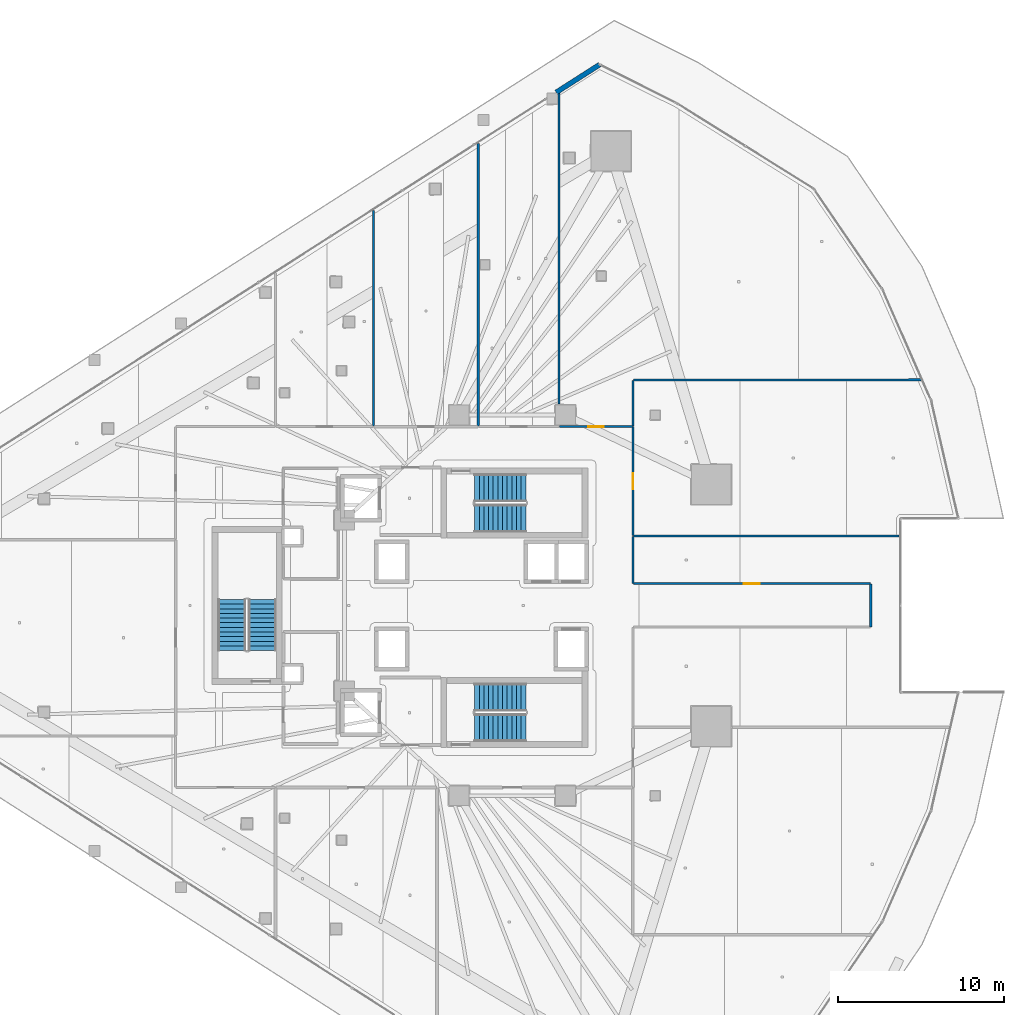
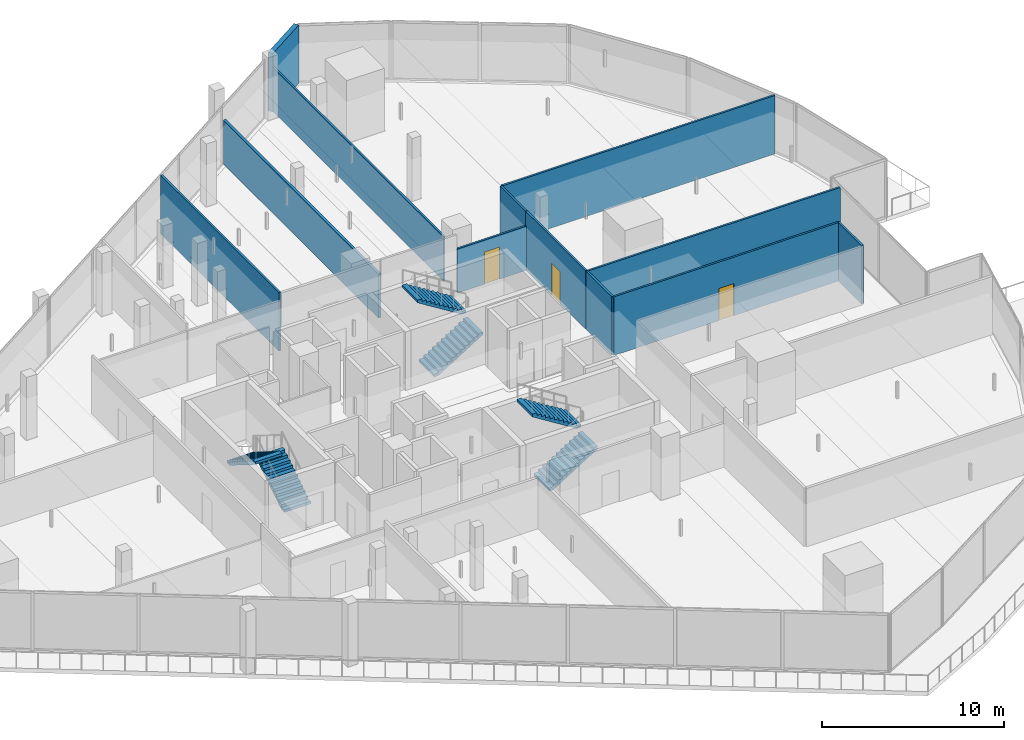
# One storey, part 30 of 44: 12 walls, 6 stair flights, 3 doors, 3 openings, 3 elements without a shape of their own.
"""IFC4 building model written with IfcOpenShell, lengths in metres."""

from ifc_helpers import new_model, si_unit, direction, frame, frame_2d, origin, place, context, subcontext, project, spatial, polyline, rectangle, outline, extrude, material, layer, layer_set, type_object, element, fill, aggregate, save


model = new_model("IFC4")

# Units and contexts
model_context = context("Model", 3, precision=1e-05, world=origin(), true_north=direction((0.0, 1.0)))
body_context = subcontext(model_context, "Body", "Model", "MODEL_VIEW")
ifc_project = project(units=[si_unit("LENGTHUNIT", "METRE"), si_unit("AREAUNIT", "SQUARE_METRE"), si_unit("VOLUMEUNIT", "CUBIC_METRE"), si_unit("PLANEANGLEUNIT", "RADIAN"), si_unit("MASSUNIT", "GRAM", prefix="KILO")], contexts=[model_context])

# Site, building, storey
site_placement = place(None, origin())
site = spatial("IfcSite", under=ifc_project, at=site_placement, CompositionType="ELEMENT")
building_placement = place(site_placement, origin())
building = spatial("IfcBuilding", under=site, at=building_placement, Name="Qorvath Tower", CompositionType="ELEMENT")
storey_placement = place(building_placement, frame((0.0, 0.0, 70.199951171875)))
storey = spatial("IfcBuildingStorey", under=building, at=storey_placement, Name="L15", CompositionType="ELEMENT", Elevation=70.199951171875)

# Walls
ifc_material_1 = material(Name="Double acoustic gypsum board on steel studs", Category="steel")
ifc_layer_1 = layer(ifc_material_1, 0.159912109375)
ifc_layer_set_1 = layer_set([ifc_layer_1], Name="IW-ACOUSTIC-160")
wall_type_1 = type_object("IfcWallType", Name="IW-ACOUSTIC-160", PredefinedType="PARTITIONING", material=ifc_layer_set_1)
wall_1_placement = place(storey_placement, frame((-22.441162109375, 10.783203125, 0.0), z_axis=(0.0, 0.0, 1.0), x_axis=(0.0, 1.0, 0.0)))
element("IfcWall", 1, at=wall_1_placement, inside=storey, type_object=wall_type_1, Name="Interior Partition IW-T1-L15-021", PredefinedType="PARTITIONING", context=body_context, shape_type="SweptSolid", body=[
    extrude(rectangle(XDim=17.01513671875, YDim=0.159912109375, at=frame_2d((8.507568359375, 0.0))), origin(), (0.0, 0.0, 1.0), 2.95703125),
])
ifc_material_2 = material(Name="Gypsum board on metal studs with mineral wool", Category="gypsum")
ifc_layer_2 = layer(ifc_material_2, 0.125)
ifc_layer_set_2 = layer_set([ifc_layer_2], Name="IW-PART-125")
wall_type_2 = type_object("IfcWallType", Name="IW-PART-125", PredefinedType="PARTITIONING", material=ifc_layer_set_2)
wall_2_placement = place(storey_placement, frame((-28.759521484375, 10.783203125, 0.0), z_axis=(0.0, 0.0, 1.0), x_axis=(0.0, 1.0, 0.0)))
element("IfcWall", 2, at=wall_2_placement, inside=storey, type_object=wall_type_2, Name="Interior Partition IW-T1-L15-018", PredefinedType="PARTITIONING", context=body_context, shape_type="SweptSolid", body=[
    extrude(rectangle(XDim=12.976806640625, YDim=0.125, at=frame_2d((6.48828125, 0.0))), origin(), (0.0, 0.0, 1.0), 3.920166015625),
])
wall_3_placement = place(storey_placement, frame((-17.58154296875, 12.114990234375, 0.0), z_axis=(0.0, 0.0, 1.0), x_axis=(0.0, 1.0, 0.0)))
element("IfcWall", 3, at=wall_3_placement, inside=storey, type_object=wall_type_2, Name="Interior Partition IW-T1-L15-023", PredefinedType="PARTITIONING", context=body_context, shape_type="SweptSolid", body=[
    extrude(rectangle(XDim=18.789306640625, YDim=0.125, at=frame_2d((9.39453125, 0.0))), origin(), (0.0, 0.0, 1.0), 2.95703125),
])

# Wall, opening, door
wall_4_placement = place(storey_placement, frame((-17.548583984375, 10.758056640625, 0.0), z_axis=(0.0, 0.0, 1.0), x_axis=(1.0, 0.0, 0.0)))
wall_4 = element("IfcWall", 4, at=wall_4_placement, inside=storey, type_object=wall_type_2, Name="Interior Partition IW-T1-L15-024", PredefinedType="PARTITIONING", context=body_context, shape_type="SweptSolid", body=[
    extrude(rectangle(XDim=4.373779296875, YDim=0.125, at=frame_2d((2.18701171875, 0.0))), origin(), (0.0, 0.0, 1.0), 2.95703125),
])
opening_1_placement = place(wall_4_placement, frame((1.7119140625, 0.0, 0.0)))
opening_1 = element("IfcOpeningElement", 5, at=opening_1_placement, cuts=wall_4, Name="Opening D-T1-L15-06", PredefinedType="OPENING", context=body_context, shape_type="SweptSolid", body=[
    extrude(rectangle(XDim=0.949951171875, YDim=2.14990234375, at=frame_2d((0.47509765625, 1.074951171875))), frame((0.0, 0.072509765625, 0.0), z_axis=(0.0, -1.0, 0.0), x_axis=(1.0, 0.0, 0.0)), (0.0, 0.0, 1.0), 0.14501953125),
])
ifc_material_3 = material(Name="Solid-core American white oak veneer", Category="wood")
door_type = type_object("IfcDoorType", Name="D-01", OperationType="NOTDEFINED", PredefinedType="DOOR", material=ifc_material_3)
door_1_placement = place(opening_1_placement, origin())
door_1 = element("IfcDoor", 6, at=door_1_placement, inside=storey, type_object=door_type, Name="L15-04 Executive Partner Office Door D-T1-L15-06", OperationType="SINGLE_SWING_LEFT", OverallHeight=2.14990234375, OverallWidth=0.949951171875, PredefinedType="DOOR", context=body_context, shape_type="SweptSolid", body=[
    extrude(rectangle(XDim=0.949951171875, YDim=2.14990234375, at=frame_2d((0.47509765625, 1.074951171875))), frame((0.0, 0.02490234375, 0.0), z_axis=(0.0, -1.0, 0.0), x_axis=(1.0, 0.0, 0.0)), (0.0, 0.0, 1.0), 0.050048828125),
])
fill(opening_1, door_1)

# Walls
wall_5_placement = place(storey_placement, frame((-13.14990234375, 13.539794921875, 0.0), z_axis=(0.0, 0.0, 1.0), x_axis=(0.0, -1.0, 0.0)))
element("IfcWall", 7, at=wall_5_placement, inside=storey, type_object=wall_type_2, Name="Interior Partition IW-T1-L15-025", PredefinedType="PARTITIONING", context=body_context, shape_type="SweptSolid", body=[
    extrude(rectangle(XDim=2.756591796875, YDim=0.125, at=frame_2d((1.37841796875, 0.0))), origin(), (0.0, 0.0, 1.0), 3.920166015625),
])
wall_6_placement = place(storey_placement, frame((-13.125, 13.564697265625, 0.0), z_axis=(0.0, 0.0, 1.0), x_axis=(0.999999720425, 0.000747763554, 0.0)))
element("IfcWall", 8, at=wall_6_placement, inside=storey, type_object=wall_type_2, Name="Interior Partition IW-T1-L15-026", PredefinedType="PARTITIONING", context=body_context, shape_type="SweptSolid", body=[
    extrude(rectangle(XDim=17.30419921875, YDim=0.125, at=frame_2d((8.652099609375, 0.0))), origin(), (0.0, 0.0, 1.0), 3.920166015625),
])
wall_7_placement = place(storey_placement, frame((2.877685546875, 4.166015625, 0.0), z_axis=(0.0, 0.0, 1.0), x_axis=(-1.0, 0.0, 0.0)))
element("IfcWall", 9, at=wall_7_placement, inside=storey, type_object=wall_type_2, Name="Interior Partition IW-T1-L15-037", PredefinedType="PARTITIONING", context=body_context, shape_type="SweptSolid", body=[
    extrude(rectangle(XDim=15.994873046875, YDim=0.125, at=frame_2d((7.99755859375, 0.0))), origin(), (0.0, 0.0, 1.0), 3.920166015625),
])
wall_8_placement = place(storey_placement, frame((-13.14208984375, 4.14111328125, 0.0), z_axis=(0.0, 0.0, 1.0), x_axis=(0.0, -1.0, 0.0)))
element("IfcWall", 10, at=wall_8_placement, inside=storey, type_object=wall_type_2, Name="Interior Partition IW-T1-L15-038", PredefinedType="PARTITIONING", context=body_context, shape_type="SweptSolid", body=[
    extrude(rectangle(XDim=2.80810546875, YDim=0.125, at=frame_2d((1.404052734375, 0.0))), origin(), (0.0, 0.0, 1.0), 3.920166015625),
])

# Wall, opening, door
wall_9_placement = place(storey_placement, frame((1.140380859375, 1.30810546875, 0.0), z_axis=(0.0, 0.0, 1.0), x_axis=(-1.0, 0.0, 0.0)))
wall_9 = element("IfcWall", 11, at=wall_9_placement, inside=storey, type_object=wall_type_2, Name="Interior Partition IW-T1-L15-039", PredefinedType="PARTITIONING", context=body_context, shape_type="SweptSolid", body=[
    extrude(rectangle(XDim=14.257568359375, YDim=0.125, at=frame_2d((7.12890625, 0.0))), origin(), (0.0, 0.0, 1.0), 3.920166015625),
])
opening_2_placement = place(wall_9_placement, frame((6.65380859375, 0.0, 0.0)))
opening_2 = element("IfcOpeningElement", 12, at=opening_2_placement, cuts=wall_9, Name="Opening D-T1-L15-10", PredefinedType="OPENING", context=body_context, shape_type="SweptSolid", body=[
    extrude(rectangle(XDim=0.949951171875, YDim=2.14990234375, at=frame_2d((0.47509765625, 1.074951171875))), frame((0.0, 0.072509765625, 0.0), z_axis=(0.0, -1.0, 0.0), x_axis=(1.0, 0.0, 0.0)), (0.0, 0.0, 1.0), 0.14501953125),
])
door_2_placement = place(opening_2_placement, origin())
door_2 = element("IfcDoor", 13, at=door_2_placement, inside=storey, type_object=door_type, Name="L15-08 Engineering Documentation Suite Door D-T1-L15-10", OperationType="SINGLE_SWING_LEFT", OverallHeight=2.14990234375, OverallWidth=0.949951171875, PredefinedType="DOOR", context=body_context, shape_type="SweptSolid", body=[
    extrude(rectangle(XDim=0.949951171875, YDim=2.14990234375, at=frame_2d((0.47509765625, 1.074951171875))), frame((0.0, 0.02490234375, 0.0), z_axis=(0.0, -1.0, 0.0), x_axis=(1.0, 0.0, 0.0)), (0.0, 0.0, 1.0), 0.050048828125),
])
fill(opening_2, door_2)

# Wall
wall_10_placement = place(storey_placement, frame((1.16552734375, -1.283203125, 0.0), z_axis=(0.0, 0.0, 1.0), x_axis=(0.0, 1.0, 0.0)))
element("IfcWall", 14, at=wall_10_placement, inside=storey, type_object=wall_type_2, Name="Interior Partition IW-T1-L15-040", PredefinedType="PARTITIONING", context=body_context, shape_type="SweptSolid", body=[
    extrude(rectangle(XDim=2.56640625, YDim=0.125, at=frame_2d((1.283203125, 0.0))), origin(), (0.0, 0.0, 1.0), 3.920166015625),
])

# Wall, opening, door
wall_11_placement = place(storey_placement, frame((-13.14208984375, 10.75830078125, 0.0), z_axis=(0.0, 0.0, 1.0), x_axis=(0.0, -1.0, 0.0)))
wall_11 = element("IfcWall", 15, at=wall_11_placement, inside=storey, type_object=wall_type_2, Name="Interior Partition IW-T1-L15-043", PredefinedType="PARTITIONING", context=body_context, shape_type="SweptSolid", body=[
    extrude(rectangle(XDim=6.5595703125, YDim=0.125, at=frame_2d((3.27978515625, 0.0))), origin(), (0.0, 0.0, 1.0), 3.920166015625),
])
opening_3_placement = place(wall_11_placement, frame((2.8046875, 0.0, 0.0)))
opening_3 = element("IfcOpeningElement", 16, at=opening_3_placement, cuts=wall_11, Name="Opening D-T1-L15-11", PredefinedType="OPENING", context=body_context, shape_type="SweptSolid", body=[
    extrude(rectangle(XDim=0.949951171875, YDim=2.14990234375, at=frame_2d((0.47509765625, 1.074951171875))), frame((0.0, 0.072509765625, 0.0), z_axis=(0.0, -1.0, 0.0), x_axis=(1.0, 0.0, 0.0)), (0.0, 0.0, 1.0), 0.14501953125),
])
door_3_placement = place(opening_3_placement, origin())
door_3 = element("IfcDoor", 17, at=door_3_placement, inside=storey, type_object=door_type, Name="L15-09 Open Workplace Studio Door D-T1-L15-11", OperationType="SINGLE_SWING_RIGHT", OverallHeight=2.14990234375, OverallWidth=0.949951171875, PredefinedType="DOOR", context=body_context, shape_type="SweptSolid", body=[
    extrude(rectangle(XDim=0.949951171875, YDim=2.14990234375, at=frame_2d((0.47509765625, 1.074951171875))), frame((0.0, 0.02490234375, 0.0), z_axis=(0.0, -1.0, 0.0), x_axis=(1.0, 0.0, 0.0)), (0.0, 0.0, 1.0), 0.050048828125),
])
fill(opening_3, door_3)

# Wall
ifc_material_4 = material(Name="Precast concrete C45/55", Category="concrete")
ifc_layer_3 = layer(ifc_material_4, 0.300048828125)
ifc_layer_set_3 = layer_set([ifc_layer_3], Name="WL-EW-LOG-300")
wall_type_3 = type_object("IfcWallType", Name="WL-EW-LOG-300", PredefinedType="SOLIDWALL", material=ifc_layer_set_3)
wall_12_placement = place(storey_placement, frame((-17.760498046875, 30.8701171875, 0.0), z_axis=(0.0, 0.0, 1.0), x_axis=(0.842632568885, 0.538488954254, 0.0)))
element("IfcWall", 18, at=wall_12_placement, inside=storey, type_object=wall_type_3, Name="Tower Precast Loggia Wall L15-16.1", PredefinedType="SOLIDWALL", context=body_context, shape_type="SweptSolid", body=[
    extrude(rectangle(XDim=3.092041015625, YDim=0.300048828125, at=frame_2d((1.5458984375, 0.0))), origin(), (0.0, 0.0, 1.0), 3.920166015625),
])

# Stair, stair flights
ifc_material_5 = material(Name="Concrete C50/60", Category="concrete")
stair_type = type_object("IfcStairType", Name="ST-H420", PredefinedType="HALF_TURN_STAIR", material=ifc_material_5)
stair_1_placement = place(storey_placement, origin())
stair_1 = element("IfcStair", 19, at=stair_1_placement, inside=storey, type_object=stair_type, Name="L15 Tower Exit Stair 1", PredefinedType="HALF_TURN_STAIR")
ifc_material_6 = material(Name="Concrete C50/60", Category="concrete")
ifc_layer_4 = layer(ifc_material_6, 0.14990234375)
ifc_layer_set_4 = layer_set([ifc_layer_4], Name="SF-H420")
stair_flight_type = type_object("IfcStairFlightType", Name="SF-H420", PredefinedType="STRAIGHT", material=ifc_layer_set_4)
stair_flight_1_placement = place(storey_placement, frame((-22.669921875, 5.239990234375, 0.0), z_axis=(0.0, 0.0, 1.0), x_axis=(1.0, 0.0, 0.0)))
stair_flight_1 = element("IfcStairFlight", 20, at=stair_flight_1_placement, type_object=stair_flight_type, Name="TS1 flight 1", NumberOfRisers=12, NumberOfTreads=11, PredefinedType="STRAIGHT", RiserHeight=0.175, TreadLength=0.28, context=body_context, shape_type="SweptSolid", body=[
    extrude(outline(polyline([(0.0, 0.0), (0.0, 0.175048828125), (0.280029296875, 0.175048828125), (0.280029296875, 0.35009765625), (0.56005859375, 0.35009765625), (0.56005859375, 0.52490234375), (0.840087890625, 0.52490234375), (0.840087890625, 0.699951171875), (1.1201171875, 0.699951171875), (1.1201171875, 0.875), (1.39990234375, 0.875), (1.39990234375, 1.050048828125), (1.679931640625, 1.050048828125), (1.679931640625, 1.22509765625), (1.9599609375, 1.22509765625), (1.9599609375, 1.39990234375), (2.239990234375, 1.39990234375), (2.239990234375, 1.574951171875), (2.52001953125, 1.574951171875), (2.52001953125, 1.75), (2.800048828125, 1.75), (2.800048828125, 1.925048828125), (3.080078125, 1.925048828125), (3.080078125, 2.10009765625), (3.080078125, 1.748291015625), (0.28271484375, 0.0), (0.0, 0.0)])), frame((0.0, 0.83984375, 0.0), z_axis=(0.0, -1.0, 0.0), x_axis=(1.0, 0.0, 0.0)), (0.0, 0.0, 1.0), 1.679931640625),
])
stair_flight_2_placement = place(storey_placement, frame((-19.590087890625, 7.070068359375, 2.10009765625), z_axis=(0.0, 0.0, 1.0), x_axis=(-1.0, 0.0, 0.0)))
stair_flight_2 = element("IfcStairFlight", 21, at=stair_flight_2_placement, type_object=stair_flight_type, Name="TS1 flight 2", NumberOfRisers=12, NumberOfTreads=11, PredefinedType="STRAIGHT", RiserHeight=0.175, TreadLength=0.28, context=body_context, shape_type="SweptSolid", body=[
    extrude(outline(polyline([(0.0, 0.0), (0.0, 0.175048828125), (0.280029296875, 0.175048828125), (0.280029296875, 0.35009765625), (0.56005859375, 0.35009765625), (0.56005859375, 0.52490234375), (0.840087890625, 0.52490234375), (0.840087890625, 0.699951171875), (1.1201171875, 0.699951171875), (1.1201171875, 0.875), (1.39990234375, 0.875), (1.39990234375, 1.050048828125), (1.679931640625, 1.050048828125), (1.679931640625, 1.22509765625), (1.9599609375, 1.22509765625), (1.9599609375, 1.39990234375), (2.239990234375, 1.39990234375), (2.239990234375, 1.574951171875), (2.52001953125, 1.574951171875), (2.52001953125, 1.75), (2.800048828125, 1.75), (2.800048828125, 1.925048828125), (3.080078125, 1.925048828125), (3.080078125, 2.10009765625), (3.080078125, 1.748291015625), (0.28271484375, 0.0), (0.0, 0.0)])), frame((0.0, 0.83984375, 0.0), z_axis=(0.0, -1.0, 0.0), x_axis=(1.0, 0.0, 0.0)), (0.0, 0.0, 1.0), 1.679931640625),
])
aggregate(stair_1, [stair_flight_1, stair_flight_2])

stair_2_placement = place(storey_placement, origin())
stair_2 = element("IfcStair", 22, at=stair_2_placement, inside=storey, type_object=stair_type, Name="L15 Tower Exit Stair 2", PredefinedType="HALF_TURN_STAIR")
stair_flight_3_placement = place(storey_placement, frame((-22.669921875, -7.360107421875, 0.0), z_axis=(0.0, 0.0, 1.0), x_axis=(1.0, 0.0, 0.0)))
stair_flight_3 = element("IfcStairFlight", 23, at=stair_flight_3_placement, type_object=stair_flight_type, Name="TS2 flight 1", NumberOfRisers=12, NumberOfTreads=11, PredefinedType="STRAIGHT", RiserHeight=0.175, TreadLength=0.28, context=body_context, shape_type="SweptSolid", body=[
    extrude(outline(polyline([(0.0, 0.0), (0.0, 0.175048828125), (0.280029296875, 0.175048828125), (0.280029296875, 0.35009765625), (0.56005859375, 0.35009765625), (0.56005859375, 0.52490234375), (0.840087890625, 0.52490234375), (0.840087890625, 0.699951171875), (1.1201171875, 0.699951171875), (1.1201171875, 0.875), (1.39990234375, 0.875), (1.39990234375, 1.050048828125), (1.679931640625, 1.050048828125), (1.679931640625, 1.22509765625), (1.9599609375, 1.22509765625), (1.9599609375, 1.39990234375), (2.239990234375, 1.39990234375), (2.239990234375, 1.574951171875), (2.52001953125, 1.574951171875), (2.52001953125, 1.75), (2.800048828125, 1.75), (2.800048828125, 1.925048828125), (3.080078125, 1.925048828125), (3.080078125, 2.10009765625), (3.080078125, 1.748291015625), (0.28271484375, 0.0), (0.0, 0.0)])), frame((0.0, 0.83984375, 0.0), z_axis=(0.0, -1.0, 0.0), x_axis=(1.0, 0.0, 0.0)), (0.0, 0.0, 1.0), 1.679931640625),
])
stair_flight_4_placement = place(storey_placement, frame((-19.590087890625, -5.530029296875, 2.10009765625), z_axis=(0.0, 0.0, 1.0), x_axis=(-1.0, 0.0, 0.0)))
stair_flight_4 = element("IfcStairFlight", 24, at=stair_flight_4_placement, type_object=stair_flight_type, Name="TS2 flight 2", NumberOfRisers=12, NumberOfTreads=11, PredefinedType="STRAIGHT", RiserHeight=0.175, TreadLength=0.28, context=body_context, shape_type="SweptSolid", body=[
    extrude(outline(polyline([(0.0, 0.0), (0.0, 0.175048828125), (0.280029296875, 0.175048828125), (0.280029296875, 0.35009765625), (0.56005859375, 0.35009765625), (0.56005859375, 0.52490234375), (0.840087890625, 0.52490234375), (0.840087890625, 0.699951171875), (1.1201171875, 0.699951171875), (1.1201171875, 0.875), (1.39990234375, 0.875), (1.39990234375, 1.050048828125), (1.679931640625, 1.050048828125), (1.679931640625, 1.22509765625), (1.9599609375, 1.22509765625), (1.9599609375, 1.39990234375), (2.239990234375, 1.39990234375), (2.239990234375, 1.574951171875), (2.52001953125, 1.574951171875), (2.52001953125, 1.75), (2.800048828125, 1.75), (2.800048828125, 1.925048828125), (3.080078125, 1.925048828125), (3.080078125, 2.10009765625), (3.080078125, 1.748291015625), (0.28271484375, 0.0), (0.0, 0.0)])), frame((0.0, 0.83984375, 0.0), z_axis=(0.0, -1.0, 0.0), x_axis=(1.0, 0.0, 0.0)), (0.0, 0.0, 1.0), 1.679931640625),
])
aggregate(stair_2, [stair_flight_3, stair_flight_4])

stair_3_placement = place(storey_placement, origin())
stair_3 = element("IfcStair", 25, at=stair_3_placement, inside=storey, type_object=stair_type, Name="L15 Tower Exit Stair 3", PredefinedType="HALF_TURN_STAIR")
stair_flight_5_placement = place(storey_placement, frame((-35.43994140625, -2.719970703125, 0.0), z_axis=(0.0, 0.0, 1.0), x_axis=(0.0, 1.0, 0.0)))
stair_flight_5 = element("IfcStairFlight", 26, at=stair_flight_5_placement, type_object=stair_flight_type, Name="TS3 flight 1", NumberOfRisers=12, NumberOfTreads=11, PredefinedType="STRAIGHT", RiserHeight=0.175, TreadLength=0.28, context=body_context, shape_type="SweptSolid", body=[
    extrude(outline(polyline([(0.0, 0.0), (0.0, 0.175048828125), (0.280029296875, 0.175048828125), (0.280029296875, 0.35009765625), (0.56005859375, 0.35009765625), (0.56005859375, 0.52490234375), (0.840087890625, 0.52490234375), (0.840087890625, 0.699951171875), (1.1201171875, 0.699951171875), (1.1201171875, 0.875), (1.39990234375, 0.875), (1.39990234375, 1.050048828125), (1.679931640625, 1.050048828125), (1.679931640625, 1.22509765625), (1.9599609375, 1.22509765625), (1.9599609375, 1.39990234375), (2.239990234375, 1.39990234375), (2.239990234375, 1.574951171875), (2.52001953125, 1.574951171875), (2.52001953125, 1.75), (2.800048828125, 1.75), (2.800048828125, 1.925048828125), (3.080078125, 1.925048828125), (3.080078125, 2.10009765625), (3.080078125, 1.748291015625), (0.28271484375, 0.0), (0.0, 0.0)])), frame((0.0, 0.83984375, 0.0), z_axis=(0.0, -1.0, 0.0), x_axis=(1.0, 0.0, 0.0)), (0.0, 0.0, 1.0), 1.679931640625),
])
stair_flight_6_placement = place(storey_placement, frame((-37.27001953125, 0.360107421875, 2.10009765625), z_axis=(0.0, 0.0, 1.0), x_axis=(0.0, -1.0, 0.0)))
stair_flight_6 = element("IfcStairFlight", 27, at=stair_flight_6_placement, type_object=stair_flight_type, Name="TS3 flight 2", NumberOfRisers=12, NumberOfTreads=11, PredefinedType="STRAIGHT", RiserHeight=0.175, TreadLength=0.28, context=body_context, shape_type="SweptSolid", body=[
    extrude(outline(polyline([(0.0, 0.0), (0.0, 0.175048828125), (0.280029296875, 0.175048828125), (0.280029296875, 0.35009765625), (0.56005859375, 0.35009765625), (0.56005859375, 0.52490234375), (0.840087890625, 0.52490234375), (0.840087890625, 0.699951171875), (1.1201171875, 0.699951171875), (1.1201171875, 0.875), (1.39990234375, 0.875), (1.39990234375, 1.050048828125), (1.679931640625, 1.050048828125), (1.679931640625, 1.22509765625), (1.9599609375, 1.22509765625), (1.9599609375, 1.39990234375), (2.239990234375, 1.39990234375), (2.239990234375, 1.574951171875), (2.52001953125, 1.574951171875), (2.52001953125, 1.75), (2.800048828125, 1.75), (2.800048828125, 1.925048828125), (3.080078125, 1.925048828125), (3.080078125, 2.10009765625), (3.080078125, 1.748291015625), (0.28271484375, 0.0), (0.0, 0.0)])), frame((0.0, 0.83984375, 0.0), z_axis=(0.0, -1.0, 0.0), x_axis=(1.0, 0.0, 0.0)), (0.0, 0.0, 1.0), 1.679931640625),
])
aggregate(stair_3, [stair_flight_5, stair_flight_6])

save(model, "model.ifc")
